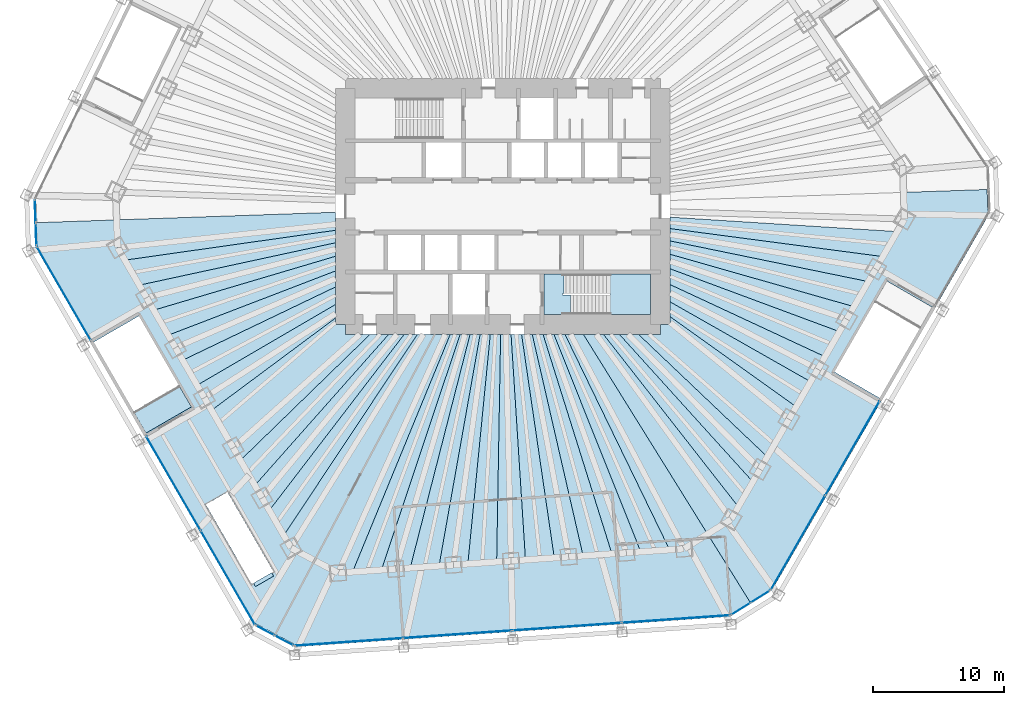
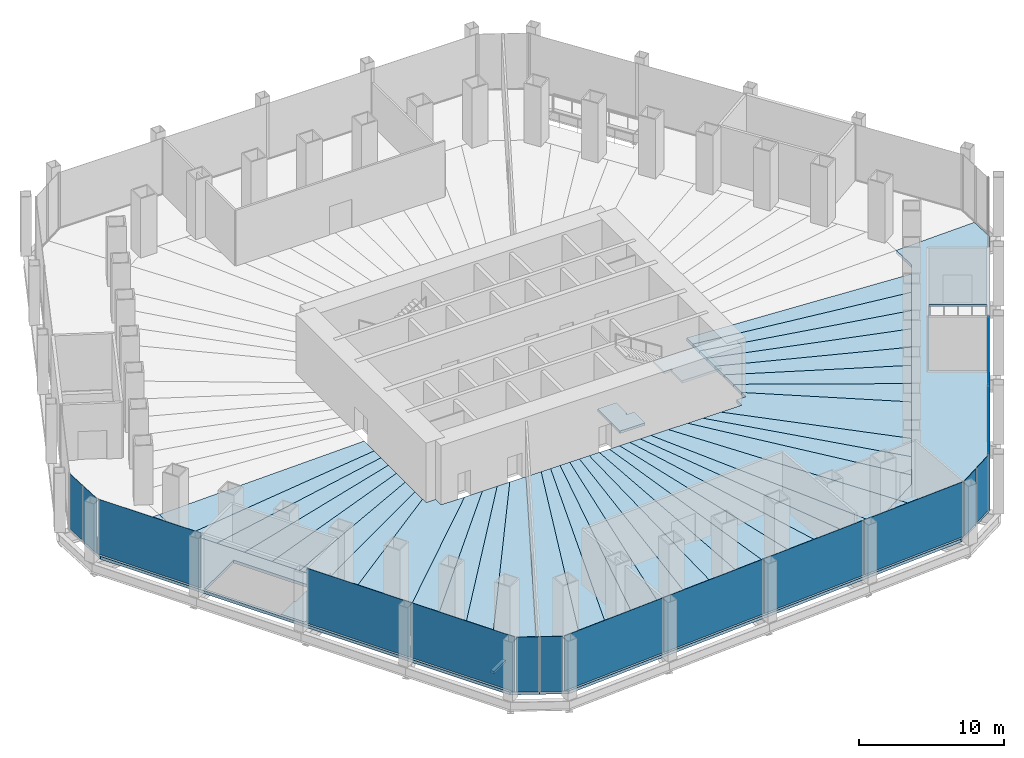
# One storey, part 12 of 18: 43 slabs, 15 plates, 8 elements without a shape of their own.
"""IFC4 building model written with IfcOpenShell, lengths in metres."""

import ifcopenshell
import ifcopenshell.guid

model = None  # the IFC model being written
_history = None  # IfcOwnerHistory: only IFC2X3 demands one
_inside = {}  # id of a spatial element -> (the spatial element, [elements in it])
_under = {}  # id of a project, library or spatial element -> (it, [spatial elements below it])
_declared = {}  # id of a project -> (the project, [libraries it declares])
_typed = {}  # id of a type object -> (the type object, [elements of that type])
_made_of = {}  # id of a material, layer set ... -> (it, [elements and type objects made of it])


def new_model(schema):
    """Start an empty IFC model of exactly this schema.

    Asked for "IFC4X3", IfcOpenShell would pick the latest addendum, in which some entities
    have other attributes; the version numbers below select the first issue.
    IFC2X3 requires an IfcOwnerHistory on every rooted entity: one is made here for all.
    """
    global model, _history
    if schema == "IFC4X3":
        model = ifcopenshell.file(schema_version=(4, 3, 0, 0))
    else:
        model = ifcopenshell.file(schema=schema)
    _inside.clear()
    _under.clear()
    _declared.clear()
    _typed.clear()
    _made_of.clear()
    _history = None
    if model.schema == "IFC2X3":
        org = make("IfcOrganization", Name="unknown")
        user = make(
            "IfcPersonAndOrganization",
            ThePerson=make("IfcPerson", FamilyName="unknown"),
            TheOrganization=org,
        )
        app = make(
            "IfcApplication",
            ApplicationDeveloper=org,
            Version="unknown",
            ApplicationFullName="unknown",
            ApplicationIdentifier="unknown",
        )
        _history = make(
            "IfcOwnerHistory",
            OwningUser=user,
            OwningApplication=app,
            ChangeAction="ADDED",
            CreationDate=0,
        )
    return model


def make(cls, **values):
    """One entity of the class cls with the attributes given. An attribute that is None is left unset."""
    return model.create_entity(
        cls, **{name: value for name, value in values.items() if value is not None}
    )


def rooted(cls, **values):
    """An entity with a GlobalId (a new one), such as an element, a storey or a relation."""
    return make(cls, GlobalId=ifcopenshell.guid.new(), OwnerHistory=_history, **values)


def si_unit(unit_type, name, prefix=None):
    """IfcSIUnit, for example si_unit("LENGTHUNIT", "METRE", prefix="MILLI")."""
    return make("IfcSIUnit", UnitType=unit_type, Prefix=prefix, Name=name)


def assignment(units):
    """IfcUnitAssignment: the units of a project."""
    return None if units is None else make("IfcUnitAssignment", Units=units)


def point(xyz):
    """IfcCartesianPoint."""
    return None if xyz is None else make("IfcCartesianPoint", Coordinates=xyz)


def direction(xyz):
    """IfcDirection."""
    return None if xyz is None else make("IfcDirection", DirectionRatios=xyz)


def frame(location, z_axis=None, x_axis=None):
    """IfcAxis2Placement3D, a coordinate frame: its origin and axes. An axis left out is left unset."""
    return make(
        "IfcAxis2Placement3D",
        Location=point(location),
        Axis=direction(z_axis),
        RefDirection=direction(x_axis),
    )


def frame_2d(location, x_axis=None):
    """IfcAxis2Placement2D, a coordinate frame in the plane: its origin and x axis."""
    return make(
        "IfcAxis2Placement2D", Location=point(location), RefDirection=direction(x_axis)
    )


def origin():
    """The frame at (0, 0, 0) with its axes left unset."""
    return frame((0.0, 0.0, 0.0))


def origin_2d():
    """The frame at (0, 0) in the plane with its x axis left unset."""
    return frame_2d((0.0, 0.0))


def place(relative_to, where):
    """IfcLocalPlacement: puts the frame where relative to a parent placement (None: the world)."""
    return make(
        "IfcLocalPlacement", PlacementRelTo=relative_to, RelativePlacement=where
    )


def context(
    kind, dimensions, precision=None, world=None, true_north=None, identifier=None
):
    """IfcGeometricRepresentationContext, for example the 3D "Model" context."""
    return make(
        "IfcGeometricRepresentationContext",
        ContextIdentifier=identifier,
        ContextType=kind,
        CoordinateSpaceDimension=dimensions,
        Precision=precision,
        WorldCoordinateSystem=world,
        TrueNorth=true_north,
    )


def subcontext(parent, identifier, kind, view, scale=None):
    """IfcGeometricRepresentationSubContext, for example "Body" below "Model"."""
    return make(
        "IfcGeometricRepresentationSubContext",
        ContextIdentifier=identifier,
        ContextType=kind,
        ParentContext=parent,
        TargetScale=scale,
        TargetView=view,
    )


def project(units=None, contexts=None):
    """IfcProject with its units and contexts."""
    return rooted(
        "IfcProject",
        Name="project",
        RepresentationContexts=contexts,
        UnitsInContext=assignment(units),
    )


def spatial(cls, under=None, at=None, **own):
    """A site, building, storey or space (cls), placed at a placement, below another one or the project."""
    s = rooted(cls, ObjectPlacement=at, **own)
    if under is not None:
        _under.setdefault(under.id(), (under, []))[1].append(s)
    return s


def polyline(points):
    """IfcPolyline through the points."""
    return make("IfcPolyline", Points=[point(p) for p in points])


def profile(cls, at=None, kind="AREA", **sizes):
    """A parametric profile (cls). Its sizes go by their IFC names, for example OverallWidth=200.0."""
    return make(cls, ProfileType=kind, Position=at, **sizes)


def rectangle(**sizes):
    """IfcRectangleProfileDef."""
    return profile("IfcRectangleProfileDef", **sizes)


def outline(outer, holes=None, kind="AREA"):
    """IfcArbitraryClosedProfileDef: a profile drawn as a closed curve; with holes, ...WithVoids."""
    if holes is None:
        return make("IfcArbitraryClosedProfileDef", ProfileType=kind, OuterCurve=outer)
    return make(
        "IfcArbitraryProfileDefWithVoids",
        ProfileType=kind,
        OuterCurve=outer,
        InnerCurves=holes,
    )


def extrude(swept, where, along, depth):
    """IfcExtrudedAreaSolid: the profile swept, set in the frame where, extruded along a direction by depth."""
    return make(
        "IfcExtrudedAreaSolid",
        SweptArea=swept,
        Position=where,
        ExtrudedDirection=direction(along),
        Depth=depth,
    )


def shape(context_of_items, identifier, shape_type, items):
    """IfcShapeRepresentation: the items that make up one representation, for example the "Body"."""
    return make(
        "IfcShapeRepresentation",
        ContextOfItems=context_of_items,
        RepresentationIdentifier=identifier,
        RepresentationType=shape_type,
        Items=items,
    )


def material(Name=None, Category=None):
    """IfcMaterial."""
    return make("IfcMaterial", Name=Name, Category=Category)


def layer(
    of_material, thickness, ventilated=None, Name=None, Category=None, Priority=None
):
    """IfcMaterialLayer: one layer of a wall or slab, of a material (None: an air gap)."""
    return make(
        "IfcMaterialLayer",
        Material=of_material,
        LayerThickness=thickness,
        IsVentilated=ventilated,
        Name=Name,
        Category=Category,
        Priority=Priority,
    )


def layer_set(layers, Name=None):
    """IfcMaterialLayerSet."""
    return make("IfcMaterialLayerSet", MaterialLayers=layers, LayerSetName=Name)


def made_of(thing, what):
    """Note that an element or type object is made of a material, layer set ...; save() writes the relation."""
    if what is not None:
        _made_of.setdefault(what.id(), (what, []))[1].append(thing)
    return thing


def type_object(cls, material=None, **own):
    """A type object (cls), such as IfcWallType, which elements share."""
    return made_of(rooted(cls, **own), material)


def element(
    cls,
    number,
    at=None,
    inside=None,
    cuts=None,
    type_object=None,
    material=None,
    context=None,
    identifier="Body",
    shape_type=None,
    held_by="IfcProductDefinitionShape",
    body=None,
    shapes=None,
    **own,
):
    """One element of the class cls, such as IfcWall. Its Tag is "e" and its number.

    at: its placement. inside: the storey or other place that contains it. cuts: it is an
    opening in that element (IfcRelVoidsElement). A single representation is given by context,
    identifier, shape_type and body (its items); several are given by shapes. held_by: the class
    of the entity that holds the representations. save() writes the other relations.
    """
    e = rooted(cls, Tag="e%d" % number, ObjectPlacement=at, **own)
    if body is not None:
        shapes = [shape(context, identifier, shape_type, body)]
    if shapes is not None:
        e.Representation = make(held_by, Representations=shapes)
    if inside is not None:
        _inside.setdefault(inside.id(), (inside, []))[1].append(e)
    if cuts is not None:
        rooted(
            "IfcRelVoidsElement", RelatingBuildingElement=cuts, RelatedOpeningElement=e
        )
    if type_object is not None:
        _typed.setdefault(type_object.id(), (type_object, []))[1].append(e)
    return made_of(e, material)


def aggregate(whole, parts):
    """IfcRelAggregates: a whole, such as a stair, and the parts it consists of."""
    return rooted("IfcRelAggregates", RelatingObject=whole, RelatedObjects=parts)


def save(model, path):
    """Write the relations noted so far, then the file.

    IfcRelAggregates (storeys below a building ...), IfcRelContainedInSpatialStructure (elements
    in a storey), IfcRelDefinesByType, IfcRelAssociatesMaterial and IfcRelDeclares: one each for
    every whole, place, type object, material and project.
    """
    for whole, parts in _under.values():
        aggregate(whole, parts)
    for where, things in _inside.values():
        rooted(
            "IfcRelContainedInSpatialStructure",
            RelatedElements=things,
            RelatingStructure=where,
        )
    for kind, things in _typed.values():
        rooted("IfcRelDefinesByType", RelatedObjects=things, RelatingType=kind)
    for what, things in _made_of.values():
        rooted("IfcRelAssociatesMaterial", RelatedObjects=things, RelatingMaterial=what)
    for by, libraries in _declared.values():
        rooted("IfcRelDeclares", RelatingContext=by, RelatedDefinitions=libraries)
    model.write(path)


model = new_model("IFC4")

# Units and contexts
model_context = context("Model", 3, precision=1e-05, world=origin(), true_north=direction((0.0, 1.0)))
body_context = subcontext(model_context, "Body", "Model", "MODEL_VIEW")
ifc_project = project(units=[si_unit("LENGTHUNIT", "METRE"), si_unit("AREAUNIT", "SQUARE_METRE"), si_unit("VOLUMEUNIT", "CUBIC_METRE"), si_unit("PLANEANGLEUNIT", "RADIAN"), si_unit("MASSUNIT", "GRAM", prefix="KILO")], contexts=[model_context])

# Site, building, storey
site_placement = place(None, origin())
site = spatial("IfcSite", under=ifc_project, at=site_placement, CompositionType="ELEMENT")
building_placement = place(site_placement, origin())
building = spatial("IfcBuilding", under=site, at=building_placement, Name="Qingtian Harvest Tower", CompositionType="ELEMENT")
storey_placement = place(building_placement, frame((0.0, 0.0, 12.0)))
storey = spatial("IfcBuildingStorey", under=building, at=storey_placement, Name="L02", CompositionType="ELEMENT", Elevation=12.0)

# Slabs
ifc_material_1 = material(Name="Concrete fc' 35 MPa", Category="concrete")
ifc_layer_1 = layer(ifc_material_1, 0.25)
ifc_layer_set_1 = layer_set([ifc_layer_1], Name="Composite floor slab FS25 250")
slab_type_1 = type_object("IfcSlabType", Name="Composite floor slab FS25 250", PredefinedType="FLOOR", material=ifc_layer_set_1)
slab_1_placement = place(storey_placement, frame((0.0, 0.0, -0.25)))
element("IfcSlab", 1, at=slab_1_placement, inside=storey, type_object=slab_type_1, Name="Floor slab L02 panel DPSE", PredefinedType="FLOOR", context=body_context, shape_type="SweptSolid", body=[
    extrude(outline(polyline([(18.848388671875, -30.163818359375), (15.607421875, -24.977294921875), (17.404541015625, -23.854248046875), (30.618408203125, -0.96728515625), (30.54736328125, 1.066650390625), (36.9111328125, 1.2890625), (36.982177734375, -0.7451171875), (20.6455078125, -29.040771484375), (18.848388671875, -30.163818359375)]), holes=[polyline([(28.739501953125, -14.62158203125), (32.740478515625, -7.69189453125), (29.2763671875, -5.69189453125), (25.275390625, -12.62158203125), (28.739501953125, -14.62158203125)])]), origin(), (0.0, 0.0, 1.0), 0.25),
])
slab_2_placement = place(storey_placement, frame((0.0, 0.0, -0.25)))
element("IfcSlab", 2, at=slab_2_placement, inside=storey, type_object=slab_type_1, Name="Floor slab L02 panel DPS", PredefinedType="FLOOR", context=body_context, shape_type="SweptSolid", body=[
    extrude(outline(polyline([(-17.33935546875, -32.6103515625), (-14.349853515625, -26.98828125), (-12.552734375, -27.943603515625), (13.810546875, -26.10009765625), (15.607421875, -24.977294921875), (18.848388671875, -30.163818359375), (17.05126953125, -31.286865234375), (-15.542236328125, -33.56591796875), (-17.33935546875, -32.6103515625)])), origin(), (0.0, 0.0, 1.0), 0.25),
])
slab_3_placement = place(storey_placement, frame((0.0, 0.0, -0.25)))
element("IfcSlab", 3, at=slab_3_placement, inside=storey, type_object=slab_type_1, Name="Floor slab L02 panel DPSW", PredefinedType="FLOOR", context=body_context, shape_type="SweptSolid", body=[
    extrude(outline(polyline([(-35.546875, -1.2412109375), (-29.434814453125, -1.02783203125), (-29.36083984375, -3.145751953125), (-16.14697265625, -26.03271484375), (-14.349853515625, -26.98828125), (-17.33935546875, -32.6103515625), (-19.13623046875, -31.65478515625), (-35.472900390625, -3.359130859375), (-35.546875, -1.2412109375)]), holes=[polyline([(-19.00341796875, -28.7216796875), (-18.852783203125, -28.982421875), (-17.46728515625, -28.182373046875), (-17.61767578125, -27.921630859375), (-17.4873046875, -27.84765625), (-20.9921875, -21.77685546875), (-22.6376953125, -22.726806640625), (-19.1328125, -28.797607421875), (-19.00341796875, -28.7216796875)]), polyline([(-31.203369140625, -10.354248046875), (-27.202392578125, -17.283935546875), (-23.73828125, -15.283935546875), (-27.7392578125, -8.354248046875), (-31.203369140625, -10.354248046875)])]), origin(), (0.0, 0.0, 1.0), 0.25),
])
slab_4_placement = place(storey_placement, frame((0.0, 0.0, -0.25)))
element("IfcSlab", 4, at=slab_4_placement, inside=storey, type_object=slab_type_1, Name="Floor slab L02 panel D01", PredefinedType="FLOOR", context=body_context, shape_type="SweptSolid", body=[
    extrude(outline(polyline([(-12.75, -0.447509765625), (-12.75, -1.822998046875), (-28.810302734375, -4.099365234375), (-29.36083984375, -3.145751953125), (-29.434814453125, -1.02783203125), (-12.75, -0.447509765625)])), origin(), (0.0, 0.0, 1.0), 0.25),
])
slab_5_placement = place(storey_placement, frame((0.0, 0.0, -0.25)))
element("IfcSlab", 5, at=slab_5_placement, inside=storey, type_object=slab_type_1, Name="Floor slab L02 panel D02", PredefinedType="FLOOR", context=body_context, shape_type="SweptSolid", body=[
    extrude(outline(polyline([(-12.75, -2.773681640625), (-27.708984375, -6.006591796875), (-28.810302734375, -4.099365234375), (-12.75, -1.822998046875), (-12.75, -2.773681640625)])), origin(), (0.0, 0.0, 1.0), 0.25),
])
slab_6_placement = place(storey_placement, frame((0.0, 0.0, -0.25)))
element("IfcSlab", 6, at=slab_6_placement, inside=storey, type_object=slab_type_1, Name="Floor slab L02 panel D03", PredefinedType="FLOOR", context=body_context, shape_type="SweptSolid", body=[
    extrude(outline(polyline([(-12.75, -3.80322265625), (-26.60791015625, -7.913818359375), (-27.708984375, -6.006591796875), (-12.75, -2.773681640625), (-12.75, -3.80322265625)])), origin(), (0.0, 0.0, 1.0), 0.25),
])
slab_7_placement = place(storey_placement, frame((0.0, 0.0, -0.25)))
element("IfcSlab", 7, at=slab_7_placement, inside=storey, type_object=slab_type_1, Name="Floor slab L02 panel D04", PredefinedType="FLOOR", context=body_context, shape_type="SweptSolid", body=[
    extrude(outline(polyline([(-12.75, -4.921875), (-25.5068359375, -9.821044921875), (-26.60791015625, -7.913818359375), (-12.75, -3.80322265625), (-12.75, -4.921875)])), origin(), (0.0, 0.0, 1.0), 0.25),
])
slab_8_placement = place(storey_placement, frame((0.0, 0.0, -0.25)))
element("IfcSlab", 8, at=slab_8_placement, inside=storey, type_object=slab_type_1, Name="Floor slab L02 panel D05", PredefinedType="FLOOR", context=body_context, shape_type="SweptSolid", body=[
    extrude(outline(polyline([(-12.75, -6.141357421875), (-24.405517578125, -11.728271484375), (-25.5068359375, -9.821044921875), (-12.75, -4.921875), (-12.75, -6.141357421875)])), origin(), (0.0, 0.0, 1.0), 0.25),
])
slab_9_placement = place(storey_placement, frame((0.0, 0.0, -0.25)))
element("IfcSlab", 9, at=slab_9_placement, inside=storey, type_object=slab_type_1, Name="Floor slab L02 panel D06", PredefinedType="FLOOR", context=body_context, shape_type="SweptSolid", body=[
    extrude(outline(polyline([(-12.75, -7.4765625), (-23.304443359375, -13.635498046875), (-24.405517578125, -11.728271484375), (-12.75, -6.141357421875), (-12.75, -7.4765625)])), origin(), (0.0, 0.0, 1.0), 0.25),
])
slab_10_placement = place(storey_placement, frame((0.0, 0.0, -0.25)))
element("IfcSlab", 10, at=slab_10_placement, inside=storey, type_object=slab_type_1, Name="Floor slab L02 panel D07", PredefinedType="FLOOR", context=body_context, shape_type="SweptSolid", body=[
    extrude(outline(polyline([(-12.75, -8.512451171875), (-22.203369140625, -15.542724609375), (-23.304443359375, -13.635498046875), (-12.75, -7.4765625), (-12.75, -8.512451171875)])), origin(), (0.0, 0.0, 1.0), 0.25),
])
slab_11_placement = place(storey_placement, frame((0.0, 0.0, -0.25)))
element("IfcSlab", 11, at=slab_11_placement, inside=storey, type_object=slab_type_1, Name="Floor slab L02 panel D09", PredefinedType="FLOOR", context=body_context, shape_type="SweptSolid", body=[
    extrude(outline(polyline([(-20.0009765625, -19.357177734375), (-22.203369140625, -15.542724609375), (-12.75, -8.512451171875), (-12.75, -9.0), (-12.0, -9.0), (-12.0, -9.75), (-10.1123046875, -9.75), (-20.0009765625, -19.357177734375)])), origin(), (0.0, 0.0, 1.0), 0.25),
])
slab_12_placement = place(storey_placement, frame((0.0, 0.0, -0.25)))
element("IfcSlab", 12, at=slab_12_placement, inside=storey, type_object=slab_type_1, Name="Floor slab L02 panel D10", PredefinedType="FLOOR", context=body_context, shape_type="SweptSolid", body=[
    extrude(outline(polyline([(-8.694580078125, -9.75), (-18.89990234375, -21.2646484375), (-20.0009765625, -19.357177734375), (-10.1123046875, -9.75), (-8.694580078125, -9.75)])), origin(), (0.0, 0.0, 1.0), 0.25),
])
slab_13_placement = place(storey_placement, frame((0.0, 0.0, -0.25)))
element("IfcSlab", 13, at=slab_13_placement, inside=storey, type_object=slab_type_1, Name="Floor slab L02 panel D11", PredefinedType="FLOOR", context=body_context, shape_type="SweptSolid", body=[
    extrude(outline(polyline([(-7.511474609375, -9.75), (-17.798583984375, -23.171875), (-18.89990234375, -21.2646484375), (-8.694580078125, -9.75), (-7.511474609375, -9.75)])), origin(), (0.0, 0.0, 1.0), 0.25),
])
slab_14_placement = place(storey_placement, frame((0.0, 0.0, -0.25)))
element("IfcSlab", 14, at=slab_14_placement, inside=storey, type_object=slab_type_1, Name="Floor slab L02 panel D12", PredefinedType="FLOOR", context=body_context, shape_type="SweptSolid", body=[
    extrude(outline(polyline([(-6.509033203125, -9.75), (-16.697509765625, -25.0791015625), (-17.798583984375, -23.171875), (-7.511474609375, -9.75), (-6.509033203125, -9.75)])), origin(), (0.0, 0.0, 1.0), 0.25),
])
slab_15_placement = place(storey_placement, frame((0.0, 0.0, -0.25)))
element("IfcSlab", 15, at=slab_15_placement, inside=storey, type_object=slab_type_1, Name="Floor slab L02 panel D13", PredefinedType="FLOOR", context=body_context, shape_type="SweptSolid", body=[
    extrude(outline(polyline([(-6.509033203125, -9.75), (-5.213623046875, -9.75), (-14.349853515625, -26.98828125), (-16.14697265625, -26.03271484375), (-16.697509765625, -25.0791015625), (-6.509033203125, -9.75)])), origin(), (0.0, 0.0, 1.0), 0.25),
])
slab_16_placement = place(storey_placement, frame((0.0, 0.0, -0.25)))
element("IfcSlab", 16, at=slab_16_placement, inside=storey, type_object=slab_type_1, Name="Floor slab L02 panel D14", PredefinedType="FLOOR", context=body_context, shape_type="SweptSolid", body=[
    extrude(outline(polyline([(-5.213623046875, -9.75), (-4.006591796875, -9.75), (-11.454345703125, -27.866943359375), (-12.552734375, -27.943603515625), (-14.349853515625, -26.98828125), (-5.213623046875, -9.75)])), origin(), (0.0, 0.0, 1.0), 0.25),
])
slab_17_placement = place(storey_placement, frame((0.0, 0.0, -0.25)))
element("IfcSlab", 17, at=slab_17_placement, inside=storey, type_object=slab_type_1, Name="Floor slab L02 panel D15", PredefinedType="FLOOR", context=body_context, shape_type="SweptSolid", body=[
    extrude(outline(polyline([(-3.255859375, -9.75), (-9.25732421875, -27.71337890625), (-11.454345703125, -27.866943359375), (-4.006591796875, -9.75), (-3.255859375, -9.75)])), origin(), (0.0, 0.0, 1.0), 0.25),
])
slab_18_placement = place(storey_placement, frame((0.0, 0.0, -0.25)))
element("IfcSlab", 18, at=slab_18_placement, inside=storey, type_object=slab_type_1, Name="Floor slab L02 panel D16", PredefinedType="FLOOR", context=body_context, shape_type="SweptSolid", body=[
    extrude(outline(polyline([(-2.496826171875, -9.75), (-7.060546875, -27.5595703125), (-9.25732421875, -27.71337890625), (-3.255859375, -9.75), (-2.496826171875, -9.75)])), origin(), (0.0, 0.0, 1.0), 0.25),
])
slab_19_placement = place(storey_placement, frame((0.0, 0.0, -0.25)))
element("IfcSlab", 19, at=slab_19_placement, inside=storey, type_object=slab_type_1, Name="Floor slab L02 panel D17", PredefinedType="FLOOR", context=body_context, shape_type="SweptSolid", body=[
    extrude(outline(polyline([(-1.729248046875, -9.75), (-4.863525390625, -27.406005859375), (-7.060546875, -27.5595703125), (-2.496826171875, -9.75), (-1.729248046875, -9.75)])), origin(), (0.0, 0.0, 1.0), 0.25),
])
slab_20_placement = place(storey_placement, frame((0.0, 0.0, -0.25)))
element("IfcSlab", 20, at=slab_20_placement, inside=storey, type_object=slab_type_1, Name="Floor slab L02 panel D18", PredefinedType="FLOOR", context=body_context, shape_type="SweptSolid", body=[
    extrude(outline(polyline([(-0.952880859375, -9.75), (-2.66650390625, -27.25244140625), (-4.863525390625, -27.406005859375), (-1.729248046875, -9.75), (-0.952880859375, -9.75)])), origin(), (0.0, 0.0, 1.0), 0.25),
])
slab_21_placement = place(storey_placement, frame((0.0, 0.0, -0.25)))
element("IfcSlab", 21, at=slab_21_placement, inside=storey, type_object=slab_type_1, Name="Floor slab L02 panel D19", PredefinedType="FLOOR", context=body_context, shape_type="SweptSolid", body=[
    extrude(outline(polyline([(-0.16796875, -9.75), (-0.4697265625, -27.098876953125), (-2.66650390625, -27.25244140625), (-0.952880859375, -9.75), (-0.16796875, -9.75)])), origin(), (0.0, 0.0, 1.0), 0.25),
])
slab_22_placement = place(storey_placement, frame((0.0, 0.0, -0.25)))
element("IfcSlab", 22, at=slab_22_placement, inside=storey, type_object=slab_type_1, Name="Floor slab L02 panel D20", PredefinedType="FLOOR", context=body_context, shape_type="SweptSolid", body=[
    extrude(outline(polyline([(0.626220703125, -9.75), (1.727294921875, -26.945068359375), (-0.4697265625, -27.098876953125), (-0.16796875, -9.75), (0.626220703125, -9.75)])), origin(), (0.0, 0.0, 1.0), 0.25),
])
slab_23_placement = place(storey_placement, frame((0.0, 0.0, -0.25)))
element("IfcSlab", 23, at=slab_23_placement, inside=storey, type_object=slab_type_1, Name="Floor slab L02 panel D21", PredefinedType="FLOOR", context=body_context, shape_type="SweptSolid", body=[
    extrude(outline(polyline([(1.42919921875, -9.75), (3.92431640625, -26.79150390625), (1.727294921875, -26.945068359375), (0.626220703125, -9.75), (1.42919921875, -9.75)])), origin(), (0.0, 0.0, 1.0), 0.25),
])
slab_24_placement = place(storey_placement, frame((0.0, 0.0, -0.25)))
element("IfcSlab", 24, at=slab_24_placement, inside=storey, type_object=slab_type_1, Name="Floor slab L02 panel D22", PredefinedType="FLOOR", context=body_context, shape_type="SweptSolid", body=[
    extrude(outline(polyline([(2.24169921875, -9.75), (6.12109375, -26.637939453125), (3.92431640625, -26.79150390625), (1.42919921875, -9.75), (2.24169921875, -9.75)])), origin(), (0.0, 0.0, 1.0), 0.25),
])
slab_25_placement = place(storey_placement, frame((0.0, 0.0, -0.25)))
element("IfcSlab", 25, at=slab_25_placement, inside=storey, type_object=slab_type_1, Name="Floor slab L02 panel D23", PredefinedType="FLOOR", context=body_context, shape_type="SweptSolid", body=[
    extrude(outline(polyline([(3.0634765625, -9.75), (8.318115234375, -26.484375), (6.12109375, -26.637939453125), (2.24169921875, -9.75), (3.0634765625, -9.75)])), origin(), (0.0, 0.0, 1.0), 0.25),
])
slab_26_placement = place(storey_placement, frame((0.0, 0.0, -0.25)))
element("IfcSlab", 26, at=slab_26_placement, inside=storey, type_object=slab_type_1, Name="Floor slab L02 panel D24", PredefinedType="FLOOR", context=body_context, shape_type="SweptSolid", body=[
    extrude(outline(polyline([(3.894775390625, -9.75), (10.51513671875, -26.33056640625), (8.318115234375, -26.484375), (3.0634765625, -9.75), (3.894775390625, -9.75)])), origin(), (0.0, 0.0, 1.0), 0.25),
])
slab_27_placement = place(storey_placement, frame((0.0, 0.0, -0.25)))
element("IfcSlab", 27, at=slab_27_placement, inside=storey, type_object=slab_type_1, Name="Floor slab L02 panel D25", PredefinedType="FLOOR", context=body_context, shape_type="SweptSolid", body=[
    extrude(outline(polyline([(4.736083984375, -9.75), (12.7119140625, -26.177001953125), (10.51513671875, -26.33056640625), (3.894775390625, -9.75), (4.736083984375, -9.75)])), origin(), (0.0, 0.0, 1.0), 0.25),
])
slab_28_placement = place(storey_placement, frame((0.0, 0.0, -0.25)))
element("IfcSlab", 28, at=slab_28_placement, inside=storey, type_object=slab_type_1, Name="Floor slab L02 panel D26", PredefinedType="FLOOR", context=body_context, shape_type="SweptSolid", body=[
    extrude(outline(polyline([(4.736083984375, -9.75), (6.136474609375, -9.75), (15.607421875, -24.977294921875), (13.810546875, -26.10009765625), (12.7119140625, -26.177001953125), (4.736083984375, -9.75)])), origin(), (0.0, 0.0, 1.0), 0.25),
])
slab_29_placement = place(storey_placement, frame((0.0, 0.0, -0.25)))
element("IfcSlab", 29, at=slab_29_placement, inside=storey, type_object=slab_type_1, Name="Floor slab L02 panel D27", PredefinedType="FLOOR", context=body_context, shape_type="SweptSolid", body=[
    extrude(outline(polyline([(6.136474609375, -9.75), (7.66748046875, -9.75), (17.955078125, -22.900634765625), (17.404541015625, -23.854248046875), (15.607421875, -24.977294921875), (6.136474609375, -9.75)])), origin(), (0.0, 0.0, 1.0), 0.25),
])
slab_30_placement = place(storey_placement, frame((0.0, 0.0, -0.25)))
element("IfcSlab", 30, at=slab_30_placement, inside=storey, type_object=slab_type_1, Name="Floor slab L02 panel D28", PredefinedType="FLOOR", context=body_context, shape_type="SweptSolid", body=[
    extrude(outline(polyline([(8.88037109375, -9.75), (19.056396484375, -20.993408203125), (17.955078125, -22.900634765625), (7.66748046875, -9.75), (8.88037109375, -9.75)])), origin(), (0.0, 0.0, 1.0), 0.25),
])
slab_31_placement = place(storey_placement, frame((0.0, 0.0, -0.25)))
element("IfcSlab", 31, at=slab_31_placement, inside=storey, type_object=slab_type_1, Name="Floor slab L02 panel D29", PredefinedType="FLOOR", context=body_context, shape_type="SweptSolid", body=[
    extrude(outline(polyline([(10.337158203125, -9.75), (20.157470703125, -19.086181640625), (19.056396484375, -20.993408203125), (8.88037109375, -9.75), (10.337158203125, -9.75)])), origin(), (0.0, 0.0, 1.0), 0.25),
])
slab_32_placement = place(storey_placement, frame((0.0, 0.0, -0.25)))
element("IfcSlab", 32, at=slab_32_placement, inside=storey, type_object=slab_type_1, Name="Floor slab L02 panel D31", PredefinedType="FLOOR", context=body_context, shape_type="SweptSolid", body=[
    extrude(outline(polyline([(12.75, -8.4091796875), (22.35986328125, -15.271728515625), (20.157470703125, -19.086181640625), (10.337158203125, -9.75), (12.0, -9.75), (12.0, -9.0), (12.75, -9.0), (12.75, -8.4091796875)])), origin(), (0.0, 0.0, 1.0), 0.25),
])
slab_33_placement = place(storey_placement, frame((0.0, 0.0, -0.25)))
element("IfcSlab", 33, at=slab_33_placement, inside=storey, type_object=slab_type_1, Name="Floor slab L02 panel D32", PredefinedType="FLOOR", context=body_context, shape_type="SweptSolid", body=[
    extrude(outline(polyline([(12.75, -7.279052734375), (23.4609375, -13.364501953125), (22.35986328125, -15.271728515625), (12.75, -8.4091796875), (12.75, -7.279052734375)])), origin(), (0.0, 0.0, 1.0), 0.25),
])
slab_34_placement = place(storey_placement, frame((0.0, 0.0, -0.25)))
element("IfcSlab", 34, at=slab_34_placement, inside=storey, type_object=slab_type_1, Name="Floor slab L02 panel D33", PredefinedType="FLOOR", context=body_context, shape_type="SweptSolid", body=[
    extrude(outline(polyline([(12.75, -5.96142578125), (24.56201171875, -11.457275390625), (23.4609375, -13.364501953125), (12.75, -7.279052734375), (12.75, -5.96142578125)])), origin(), (0.0, 0.0, 1.0), 0.25),
])
slab_35_placement = place(storey_placement, frame((0.0, 0.0, -0.25)))
element("IfcSlab", 35, at=slab_35_placement, inside=storey, type_object=slab_type_1, Name="Floor slab L02 panel D34", PredefinedType="FLOOR", context=body_context, shape_type="SweptSolid", body=[
    extrude(outline(polyline([(12.75, -4.757080078125), (25.663330078125, -9.550048828125), (24.56201171875, -11.457275390625), (12.75, -5.96142578125), (12.75, -4.757080078125)])), origin(), (0.0, 0.0, 1.0), 0.25),
])
slab_36_placement = place(storey_placement, frame((0.0, 0.0, -0.25)))
element("IfcSlab", 36, at=slab_36_placement, inside=storey, type_object=slab_type_1, Name="Floor slab L02 panel D35", PredefinedType="FLOOR", context=body_context, shape_type="SweptSolid", body=[
    extrude(outline(polyline([(12.75, -3.651611328125), (26.764404296875, -7.642822265625), (25.663330078125, -9.550048828125), (12.75, -4.757080078125), (12.75, -3.651611328125)])), origin(), (0.0, 0.0, 1.0), 0.25),
])
slab_37_placement = place(storey_placement, frame((0.0, 0.0, -0.25)))
element("IfcSlab", 37, at=slab_37_placement, inside=storey, type_object=slab_type_1, Name="Floor slab L02 panel D36", PredefinedType="FLOOR", context=body_context, shape_type="SweptSolid", body=[
    extrude(outline(polyline([(12.75, -2.634033203125), (27.865478515625, -5.7353515625), (26.764404296875, -7.642822265625), (12.75, -3.651611328125), (12.75, -2.634033203125)])), origin(), (0.0, 0.0, 1.0), 0.25),
])
slab_38_placement = place(storey_placement, frame((0.0, 0.0, -0.25)))
element("IfcSlab", 38, at=slab_38_placement, inside=storey, type_object=slab_type_1, Name="Floor slab L02 panel D37", PredefinedType="FLOOR", context=body_context, shape_type="SweptSolid", body=[
    extrude(outline(polyline([(12.75, -1.693603515625), (28.966796875, -3.828125), (27.865478515625, -5.7353515625), (12.75, -2.634033203125), (12.75, -1.693603515625)])), origin(), (0.0, 0.0, 1.0), 0.25),
])
slab_39_placement = place(storey_placement, frame((0.0, 0.0, -0.25)))
element("IfcSlab", 39, at=slab_39_placement, inside=storey, type_object=slab_type_1, Name="Floor slab L02 panel D38", PredefinedType="FLOOR", context=body_context, shape_type="SweptSolid", body=[
    extrude(outline(polyline([(12.75, -0.822265625), (30.06787109375, -1.9208984375), (28.966796875, -3.828125), (12.75, -1.693603515625), (12.75, -0.822265625)])), origin(), (0.0, 0.0, 1.0), 0.25),
])
ifc_material_2 = material(Name="Steel deck with terrazzo", Category="steel")
ifc_layer_2 = layer(ifc_material_2, 0.199951171875)
ifc_layer_set_2 = layer_set([ifc_layer_2], Name="Feature stair landing SL3 200")
slab_type_2 = type_object("IfcSlabType", Name="Feature stair landing SL3 200", PredefinedType="LANDING", material=ifc_layer_set_2)
slab_40_placement = place(storey_placement, frame((0.0, 0.0, -0.199951171875)))
element("IfcSlab", 40, at=slab_40_placement, inside=storey, type_object=slab_type_2, Name="Feature stair FS4 top landing", PredefinedType="LANDING", context=body_context, shape_type="SweptSolid", body=[
    extrude(outline(polyline([(-19.00341796875, -28.7216796875), (-18.852783203125, -28.982421875), (-17.46728515625, -28.182373046875), (-17.61767578125, -27.921630859375), (-19.00341796875, -28.7216796875)])), origin(), (0.0, 0.0, 1.0), 0.199951171875),
])

# Curtain wall, plates
ifc_material_3 = material(Name="Bronze-anodised aluminium curtain wall", Category="aluminium")
curtain_wall_type = type_object("IfcCurtainWallType", Name="Curtain wall CW1 podium shopfront", PredefinedType="USERDEFINED", material=ifc_material_3)
curtain_wall_1_placement = place(storey_placement, origin())
curtain_wall_1 = element("IfcCurtainWall", 41, at=curtain_wall_1_placement, inside=storey, type_object=curtain_wall_type, Name="Curtain wall CW1 L02 SE2-3", ObjectType="RECESSED CURTAIN WALL", PredefinedType="USERDEFINED")
ifc_material_4 = material(Name="Bronze-tinted laminated insulating glass", Category="glass")
ifc_layer_3 = layer(ifc_material_4, 0.030029296875)
ifc_layer_set_3 = layer_set([ifc_layer_3], Name="Glazed panel CWP tinted IGU")
plate_type = type_object("IfcPlateType", Name="Glazed panel CWP tinted IGU", PredefinedType="CURTAIN_PANEL", material=ifc_layer_set_3)
plate_1_placement = place(storey_placement, frame((26.647705078125, -18.445068359375, 0.06494140625), z_axis=(0.0, 0.0, 1.0), x_axis=(-0.5, -0.866025403784, 0.0)))
plate_1 = element("IfcPlate", 42, at=plate_1_placement, type_object=plate_type, Name="CW1 panel 1.1", PredefinedType="CURTAIN_PANEL", context=body_context, shape_type="SweptSolid", body=[
    extrude(rectangle(XDim=8.244384765625, YDim=0.030029296875, at=origin_2d()), origin(), (0.0, 0.0, 1.0), 4.635009765625),
])
plate_2_placement = place(storey_placement, frame((22.492919921875, -25.64111328125, 0.06494140625), z_axis=(0.0, 0.0, 1.0), x_axis=(-0.5, -0.866025403784, 0.0)))
plate_2 = element("IfcPlate", 43, at=plate_2_placement, type_object=plate_type, Name="CW1 panel 2.1", PredefinedType="CURTAIN_PANEL", context=body_context, shape_type="SweptSolid", body=[
    extrude(rectangle(XDim=8.244384765625, YDim=0.030029296875, at=origin_2d()), origin(), (0.0, 0.0, 1.0), 4.635009765625),
])
aggregate(curtain_wall_1, [plate_1, plate_2])

curtain_wall_2_placement = place(storey_placement, origin())
curtain_wall_2 = element("IfcCurtainWall", 44, at=curtain_wall_2_placement, inside=storey, type_object=curtain_wall_type, Name="Curtain wall CW1 L02 SEC", ObjectType="RECESSED CURTAIN WALL", PredefinedType="USERDEFINED")
plate_3_placement = place(storey_placement, frame((19.62646484375, -29.750244140625, 0.06494140625), z_axis=(0.0, 0.0, 1.0), x_axis=(-0.848048096156, -0.529919264233, 0.0)))
plate_3 = element("IfcPlate", 45, at=plate_3_placement, type_object=plate_type, Name="CW1 panel 1.1", PredefinedType="CURTAIN_PANEL", context=body_context, shape_type="SweptSolid", body=[
    extrude(rectangle(XDim=1.69287109375, YDim=0.030029296875, at=origin_2d()), origin(), (0.0, 0.0, 1.0), 4.635009765625),
])
plate_4_placement = place(storey_placement, frame((18.1357421875, -30.681640625, 0.06494140625), z_axis=(0.0, 0.0, 1.0), x_axis=(-0.848048096156, -0.529919264233, 0.0)))
plate_4 = element("IfcPlate", 46, at=plate_4_placement, type_object=plate_type, Name="CW1 panel 2.1", PredefinedType="CURTAIN_PANEL", context=body_context, shape_type="SweptSolid", body=[
    extrude(rectangle(XDim=1.69287109375, YDim=0.030029296875, at=origin_2d()), origin(), (0.0, 0.0, 1.0), 4.635009765625),
])
aggregate(curtain_wall_2, [plate_3, plate_4])

curtain_wall_3_placement = place(storey_placement, origin())
curtain_wall_3 = element("IfcCurtainWall", 47, at=curtain_wall_3_placement, inside=storey, type_object=curtain_wall_type, Name="Curtain wall CW1 L02 S0-3", ObjectType="RECESSED CURTAIN WALL", PredefinedType="USERDEFINED")
plate_5_placement = place(storey_placement, frame((13.185791015625, -31.456787109375, 0.06494140625), z_axis=(0.0, 0.0, 1.0), x_axis=(-0.99756405026, -0.069756473744, 0.0)))
plate_5 = element("IfcPlate", 48, at=plate_5_placement, type_object=plate_type, Name="CW1 panel 1.1", PredefinedType="CURTAIN_PANEL", context=body_context, shape_type="SweptSolid", body=[
    extrude(rectangle(XDim=8.244384765625, YDim=0.030029296875, at=origin_2d()), origin(), (0.0, 0.0, 1.0), 4.635009765625),
])
plate_6_placement = place(storey_placement, frame((4.88037109375, -32.03759765625, 0.06494140625), z_axis=(0.0, 0.0, 1.0), x_axis=(-0.99756405026, -0.069756473744, 0.0)))
plate_6 = element("IfcPlate", 49, at=plate_6_placement, type_object=plate_type, Name="CW1 panel 2.1", PredefinedType="CURTAIN_PANEL", context=body_context, shape_type="SweptSolid", body=[
    extrude(rectangle(XDim=8.27685546875, YDim=0.030029296875, at=origin_2d()), origin(), (0.0, 0.0, 1.0), 4.635009765625),
])
plate_7_placement = place(storey_placement, frame((-3.44091796875, -32.619384765625, 0.06494140625), z_axis=(0.0, 0.0, 1.0), x_axis=(-0.99756405026, -0.069756473744, 0.0)))
plate_7 = element("IfcPlate", 50, at=plate_7_placement, type_object=plate_type, Name="CW1 panel 3.1", PredefinedType="CURTAIN_PANEL", context=body_context, shape_type="SweptSolid", body=[
    extrude(rectangle(XDim=8.27685546875, YDim=0.030029296875, at=origin_2d()), origin(), (0.0, 0.0, 1.0), 4.635009765625),
])
plate_8_placement = place(storey_placement, frame((-11.746337890625, -33.2001953125, 0.06494140625), z_axis=(0.0, 0.0, 1.0), x_axis=(-0.99756405026, -0.069756473744, 0.0)))
plate_8 = element("IfcPlate", 51, at=plate_8_placement, type_object=plate_type, Name="CW1 panel 4.1", PredefinedType="CURTAIN_PANEL", context=body_context, shape_type="SweptSolid", body=[
    extrude(rectangle(XDim=8.244384765625, YDim=0.030029296875, at=origin_2d()), origin(), (0.0, 0.0, 1.0), 4.635009765625),
])
aggregate(curtain_wall_3, [plate_5, plate_6, plate_7, plate_8])

curtain_wall_4_placement = place(storey_placement, origin())
curtain_wall_4 = element("IfcCurtainWall", 52, at=curtain_wall_4_placement, inside=storey, type_object=curtain_wall_type, Name="Curtain wall CW1 L02 SC", ObjectType="RECESSED CURTAIN WALL", PredefinedType="USERDEFINED")
plate_9_placement = place(storey_placement, frame((-16.67236328125, -33.093994140625, 0.06494140625), z_axis=(0.0, 0.0, 1.0), x_axis=(-0.882947592859, 0.469471562786, 0.0)))
plate_9 = element("IfcPlate", 53, at=plate_9_placement, type_object=plate_type, Name="CW1 panel 1.1", PredefinedType="CURTAIN_PANEL", context=body_context, shape_type="SweptSolid", body=[
    extrude(rectangle(XDim=1.56689453125, YDim=0.030029296875, at=origin_2d()), origin(), (0.0, 0.0, 1.0), 4.635009765625),
])
plate_10_placement = place(storey_placement, frame((-18.113037109375, -32.327880859375, 0.06494140625), z_axis=(0.0, 0.0, 1.0), x_axis=(-0.882947592859, 0.469471562786, 0.0)))
plate_10 = element("IfcPlate", 54, at=plate_10_placement, type_object=plate_type, Name="CW1 panel 2.1", PredefinedType="CURTAIN_PANEL", context=body_context, shape_type="SweptSolid", body=[
    extrude(rectangle(XDim=1.56689453125, YDim=0.030029296875, at=origin_2d()), origin(), (0.0, 0.0, 1.0), 4.635009765625),
])
aggregate(curtain_wall_4, [plate_9, plate_10])

curtain_wall_5_placement = place(storey_placement, origin())
curtain_wall_5 = element("IfcCurtainWall", 55, at=curtain_wall_5_placement, inside=storey, type_object=curtain_wall_type, Name="Curtain wall CW1 L02 SW0-1", ObjectType="RECESSED CURTAIN WALL", PredefinedType="USERDEFINED")
plate_11_placement = place(storey_placement, frame((-20.955810546875, -28.303466796875, 0.06494140625), z_axis=(0.0, 0.0, 1.0), x_axis=(-0.5, 0.866025403784, 0.0)))
plate_11 = element("IfcPlate", 56, at=plate_11_placement, type_object=plate_type, Name="CW1 panel 1.1", PredefinedType="CURTAIN_PANEL", context=body_context, shape_type="SweptSolid", body=[
    extrude(rectangle(XDim=8.244384765625, YDim=0.030029296875, at=origin_2d()), origin(), (0.0, 0.0, 1.0), 4.635009765625),
])
plate_12_placement = place(storey_placement, frame((-25.110595703125, -21.107421875, 0.06494140625), z_axis=(0.0, 0.0, 1.0), x_axis=(-0.5, 0.866025403784, 0.0)))
plate_12 = element("IfcPlate", 57, at=plate_12_placement, type_object=plate_type, Name="CW1 panel 2.1", PredefinedType="CURTAIN_PANEL", context=body_context, shape_type="SweptSolid", body=[
    extrude(rectangle(XDim=8.244384765625, YDim=0.030029296875, at=origin_2d()), origin(), (0.0, 0.0, 1.0), 4.635009765625),
])
aggregate(curtain_wall_5, [plate_11, plate_12])

# Curtain wall, plate
curtain_wall_6_placement = place(storey_placement, origin())
curtain_wall_6 = element("IfcCurtainWall", 58, at=curtain_wall_6_placement, inside=storey, type_object=curtain_wall_type, Name="Curtain wall CW1 L02 SW3", ObjectType="RECESSED CURTAIN WALL", PredefinedType="USERDEFINED")
plate_13_placement = place(storey_placement, frame((-33.46044921875, -6.64501953125, 0.06494140625), z_axis=(0.0, 0.0, 1.0), x_axis=(-0.5, 0.866025403784, 0.0)))
plate_13 = element("IfcPlate", 59, at=plate_13_placement, type_object=plate_type, Name="CW1 panel 1.1", PredefinedType="CURTAIN_PANEL", context=body_context, shape_type="SweptSolid", body=[
    extrude(rectangle(XDim=8.211669921875, YDim=0.030029296875, at=origin_2d()), origin(), (0.0, 0.0, 1.0), 4.635009765625),
])
aggregate(curtain_wall_6, [plate_13])

# Curtain wall, plates
curtain_wall_7_placement = place(storey_placement, origin())
curtain_wall_7 = element("IfcCurtainWall", 60, at=curtain_wall_7_placement, inside=storey, type_object=curtain_wall_type, Name="Curtain wall CW1 L02 SWC", ObjectType="RECESSED CURTAIN WALL", PredefinedType="USERDEFINED")
plate_14_placement = place(storey_placement, frame((-35.57763671875, -2.121826171875, 0.06494140625), z_axis=(0.0, 0.0, 1.0), x_axis=(-0.034899496703, 0.999390827019, 0.0)))
plate_14 = element("IfcPlate", 61, at=plate_14_placement, type_object=plate_type, Name="CW1 panel 1.1", PredefinedType="CURTAIN_PANEL", context=body_context, shape_type="SweptSolid", body=[
    extrude(rectangle(XDim=1.69287109375, YDim=0.030029296875, at=origin_2d()), origin(), (0.0, 0.0, 1.0), 4.635009765625),
])
plate_15_placement = place(storey_placement, frame((-35.638916015625, -0.364990234375, 0.06494140625), z_axis=(0.0, 0.0, 1.0), x_axis=(-0.034899496703, 0.999390827019, 0.0)))
plate_15 = element("IfcPlate", 62, at=plate_15_placement, type_object=plate_type, Name="CW1 panel 2.1", PredefinedType="CURTAIN_PANEL", context=body_context, shape_type="SweptSolid", body=[
    extrude(rectangle(XDim=1.69287109375, YDim=0.030029296875, at=origin_2d()), origin(), (0.0, 0.0, 1.0), 4.635009765625),
])
aggregate(curtain_wall_7, [plate_14, plate_15])

# Stair, slabs
ifc_material_5 = material(Name="Concrete fc' 35 MPa", Category="concrete")
stair_type = type_object("IfcStairType", Name="Special stair ST2 5000", PredefinedType="HALF_TURN_STAIR", material=ifc_material_5)
stair_placement = place(storey_placement, origin())
stair = element("IfcStair", 63, at=stair_placement, inside=storey, type_object=stair_type, Name="Special stair S2 L02", PredefinedType="HALF_TURN_STAIR")
ifc_material_6 = material(Name="Concrete fc' 35 MPa", Category="concrete")
ifc_layer_4 = layer(ifc_material_6, 0.199951171875)
ifc_layer_set_4 = layer_set([ifc_layer_4], Name="Stair landing SL2 200")
slab_type_3 = type_object("IfcSlabType", Name="Stair landing SL2 200", PredefinedType="LANDING", material=ifc_layer_set_4)
slab_41_placement = place(storey_placement, frame((0.0, 0.0, -0.199951171875)))
slab_41 = element("IfcSlab", 64, at=slab_41_placement, type_object=slab_type_3, Name="S2 landing 1", PredefinedType="LANDING", context=body_context, shape_type="SweptSolid", body=[
    extrude(outline(polyline([(5.155029296875, -8.25), (3.14990234375, -8.25), (3.14990234375, -5.14990234375), (4.64990234375, -5.14990234375), (4.64990234375, -6.64990234375), (4.550048828125, -6.64990234375), (4.550048828125, -6.75), (5.155029296875, -6.75), (5.155029296875, -8.25)])), origin(), (0.0, 0.0, 1.0), 0.199951171875),
])
slab_42_placement = place(storey_placement, frame((0.0, 0.0, 2.300048828125)))
slab_42 = element("IfcSlab", 65, at=slab_42_placement, type_object=slab_type_3, Name="S2 landing 2", PredefinedType="LANDING", context=body_context, shape_type="SweptSolid", body=[
    extrude(outline(polyline([(8.090087890625, -8.25), (8.090087890625, -6.75), (8.18994140625, -6.75), (8.18994140625, -6.64990234375), (7.5849609375, -6.64990234375), (7.5849609375, -5.14990234375), (11.25, -5.14990234375), (11.25, -8.25), (8.090087890625, -8.25)])), origin(), (0.0, 0.0, 1.0), 0.199951171875),
])
aggregate(stair, [slab_41, slab_42])

# Slab
ifc_material_7 = material(Name="Concrete fc' 35 MPa", Category="concrete")
ifc_layer_5 = layer(ifc_material_7, 0.179931640625)
ifc_layer_set_5 = layer_set([ifc_layer_5], Name="Stair top landing SL1 180")
slab_type_4 = type_object("IfcSlabType", Name="Stair top landing SL1 180", PredefinedType="LANDING", material=ifc_layer_set_5)
slab_43_placement = place(storey_placement, frame((0.0, 0.0, -0.179931640625)))
element("IfcSlab", 66, at=slab_43_placement, inside=storey, type_object=slab_type_4, Name="Stair P3 top landing", PredefinedType="LANDING", context=body_context, shape_type="SweptSolid", body=[
    extrude(outline(polyline([(-27.202392578125, -17.283935546875), (-28.15234375, -15.638427734375), (-26.593505859375, -14.738525390625), (-26.543701171875, -14.8251953125), (-24.638427734375, -13.72509765625), (-23.73828125, -15.283935546875), (-27.202392578125, -17.283935546875)])), origin(), (0.0, 0.0, 1.0), 0.179931640625),
])

save(model, "model.ifc")
